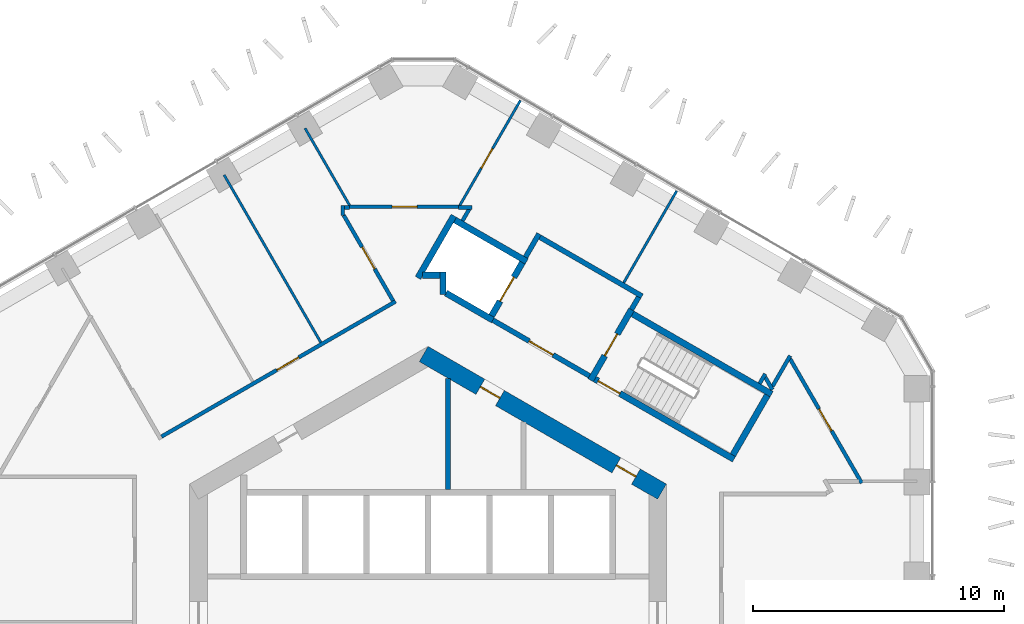
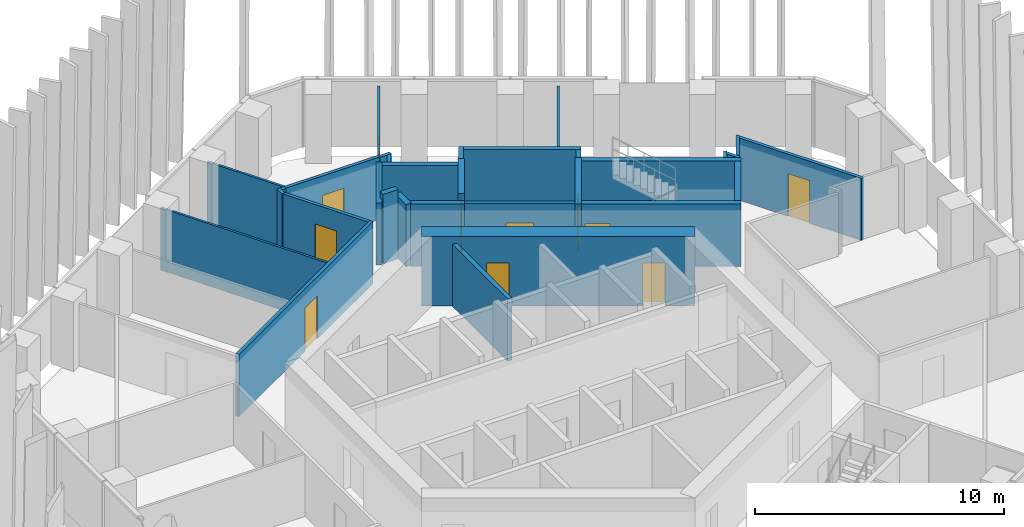
# One storey, part 14 of 19: 31 walls, 11 doors, 11 openings.
"""IFC4 building model written with IfcOpenShell, lengths in metres."""

from ifc_helpers import new_model, si_unit, direction, frame, frame_2d, origin, place, context, subcontext, project, spatial, rectangle, extrude, material, layer, layer_set, type_object, element, fill, save


model = new_model("IFC4")

# Units and contexts
model_context = context("Model", 3, precision=1e-05, world=origin(), true_north=direction((0.0, 1.0)))
body_context = subcontext(model_context, "Body", "Model", "MODEL_VIEW")
ifc_project = project(units=[si_unit("LENGTHUNIT", "METRE"), si_unit("AREAUNIT", "SQUARE_METRE"), si_unit("VOLUMEUNIT", "CUBIC_METRE"), si_unit("PLANEANGLEUNIT", "RADIAN"), si_unit("MASSUNIT", "GRAM", prefix="KILO")], contexts=[model_context])

# Site, building, storey
site_placement = place(None, origin())
site = spatial("IfcSite", under=ifc_project, at=site_placement, CompositionType="ELEMENT")
building_placement = place(site_placement, origin())
building = spatial("IfcBuilding", under=site, at=building_placement, Name="Ayvan Gate Tower", CompositionType="ELEMENT")
storey_placement = place(building_placement, frame((0.0, 0.0, 93.300048828125)))
storey = spatial("IfcBuildingStorey", under=building, at=storey_placement, Name="L24", CompositionType="ELEMENT", Elevation=93.300048828125)

# Wall, openings, doors
ifc_material_1 = material(Name="Concrete C70/85", Category="concrete")
ifc_layer_1 = layer(ifc_material_1, 0.699951171875)
ifc_layer_set_1 = layer_set([ifc_layer_1], Name="Concrete C70/85")
wall_type_1 = type_object("IfcWallType", Name="Core wall 700 C70/85", PredefinedType="SHEAR", material=ifc_layer_set_1)
wall_1_placement = place(storey_placement, frame((9.324951171875, 5.181640625, 0.0), z_axis=(0.0, 0.0, 1.0), x_axis=(-0.866023993627, 0.500002442456, 0.0)))
wall_1 = element("IfcWall", 1, at=wall_1_placement, inside=storey, type_object=wall_type_1, Name="CORE-L24-1", PredefinedType="SHEAR", context=body_context, shape_type="SweptSolid", body=[
    extrude(rectangle(XDim=10.9697265625, YDim=0.699951171875, at=frame_2d((5.48486328125, 0.0))), origin(), (0.0, 0.0, 1.0), 3.39990234375),
])
opening_1_placement = place(wall_1_placement, frame((7.460205078125, 0.0, 0.0)))
opening_1 = element("IfcOpeningElement", 2, at=opening_1_placement, cuts=wall_1, Name="Opening L24-D33", PredefinedType="OPENING", context=body_context, shape_type="SweptSolid", body=[
    extrude(rectangle(XDim=0.89990234375, YDim=2.10009765625, at=frame_2d((0.449951171875, 1.050048828125))), frame((0.0, 0.35986328125, 0.0), z_axis=(0.0, -1.0, 0.0), x_axis=(1.0, 0.0, 0.0)), (0.0, 0.0, 1.0), 0.719970703125),
])
opening_2_placement = place(wall_1_placement, frame((1.20068359375, 0.0, 0.0)))
opening_2 = element("IfcOpeningElement", 3, at=opening_2_placement, cuts=wall_1, Name="Opening L24-D34", PredefinedType="OPENING", context=body_context, shape_type="SweptSolid", body=[
    extrude(rectangle(XDim=0.89990234375, YDim=2.10009765625, at=frame_2d((0.449951171875, 1.050048828125))), frame((0.0, 0.35986328125, 0.0), z_axis=(0.0, -1.0, 0.0), x_axis=(1.0, 0.0, 0.0)), (0.0, 0.0, 1.0), 0.719970703125),
])
ifc_material_2 = material(Name="Timber door leaf", Category="wood")
door_type_1 = type_object("IfcDoorType", Name="DT-900", OperationType="NOTDEFINED", PredefinedType="DOOR", material=ifc_material_2)
door_1_placement = place(opening_1_placement, origin())
door_1 = element("IfcDoor", 4, at=door_1_placement, inside=storey, type_object=door_type_1, Name="CD-L24-33", OperationType="SINGLE_SWING_LEFT", OverallHeight=2.10009765625, OverallWidth=0.89990234375, PredefinedType="DOOR", context=body_context, shape_type="SweptSolid", body=[
    extrude(rectangle(XDim=0.89990234375, YDim=2.10009765625, at=frame_2d((0.449951171875, 1.050048828125))), frame((0.0, 0.02490234375, 0.0), z_axis=(0.0, -1.0, 0.0), x_axis=(1.0, 0.0, 0.0)), (0.0, 0.0, 1.0), 0.050048828125),
])
fill(opening_1, door_1)
door_2_placement = place(opening_2_placement, origin())
door_2 = element("IfcDoor", 5, at=door_2_placement, inside=storey, type_object=door_type_1, Name="CD-L24-34", OperationType="SINGLE_SWING_RIGHT", OverallHeight=2.10009765625, OverallWidth=0.89990234375, PredefinedType="DOOR", context=body_context, shape_type="SweptSolid", body=[
    extrude(rectangle(XDim=0.89990234375, YDim=2.10009765625, at=frame_2d((0.449951171875, 1.050048828125))), frame((0.0, 0.02490234375, 0.0), z_axis=(0.0, -1.0, 0.0), x_axis=(1.0, 0.0, 0.0)), (0.0, 0.0, 1.0), 0.050048828125),
])
fill(opening_2, door_2)

# Wall, opening, door
ifc_material_3 = material(Name="Plasterboard on steel stud", Category="steel")
ifc_layer_2 = layer(ifc_material_3, 0.14990234375)
ifc_layer_set_2 = layer_set([ifc_layer_2], Name="Plasterboard on steel stud")
wall_type_2 = type_object("IfcWallType", Name="WT-CORR-150", PredefinedType="PARTITIONING", material=ifc_layer_set_2)
wall_2_placement = place(storey_placement, frame((-10.623779296875, 7.376220703125, 0.0), z_axis=(0.0, 0.0, 1.0), x_axis=(0.86602446816, 0.500001620546, 0.0)))
wall_2 = element("IfcWall", 6, at=wall_2_placement, inside=storey, type_object=wall_type_2, Name="IW-L24-013", PredefinedType="PARTITIONING", context=body_context, shape_type="SweptSolid", body=[
    extrude(rectangle(XDim=10.77490234375, YDim=0.14990234375, at=frame_2d((5.387451171875, 0.0))), origin(), (0.0, 0.0, 1.0), 3.050048828125),
])
opening_3_placement = place(wall_2_placement, frame((5.310302734375, 0.0, 0.0)))
opening_3 = element("IfcOpeningElement", 7, at=opening_3_placement, cuts=wall_2, Name="Opening L24-D30", PredefinedType="OPENING", context=body_context, shape_type="SweptSolid", body=[
    extrude(rectangle(XDim=1.0, YDim=2.10009765625, at=frame_2d((0.5, 1.050048828125))), frame((0.0, 0.0849609375, 0.0), z_axis=(0.0, -1.0, 0.0), x_axis=(1.0, 0.0, 0.0)), (0.0, 0.0, 1.0), 0.169921875),
])
door_type_2 = type_object("IfcDoorType", Name="DT-1000", OperationType="NOTDEFINED", PredefinedType="DOOR", material=ifc_material_2)
door_3_placement = place(opening_3_placement, origin())
door_3 = element("IfcDoor", 8, at=door_3_placement, inside=storey, type_object=door_type_2, Name="ID-L24-030", OperationType="SINGLE_SWING_RIGHT", OverallHeight=2.10009765625, OverallWidth=1.0, PredefinedType="DOOR", context=body_context, shape_type="SweptSolid", body=[
    extrude(rectangle(XDim=1.0, YDim=2.10009765625, at=frame_2d((0.5, 1.050048828125))), frame((0.0, 0.02490234375, 0.0), z_axis=(0.0, -1.0, 0.0), x_axis=(1.0, 0.0, 0.0)), (0.0, 0.0, 1.0), 0.050048828125),
])
fill(opening_3, door_3)

# Walls
wall_3_placement = place(storey_placement, frame((-3.39990234375, 16.188720703125, 0.0), z_axis=(0.0, 0.0, 1.0), x_axis=(0.0, 1.0, 0.0)))
element("IfcWall", 9, at=wall_3_placement, inside=storey, type_object=wall_type_2, Name="IW-L24-039", PredefinedType="PARTITIONING", context=body_context, shape_type="SweptSolid", body=[
    extrude(rectangle(XDim=0.397216796875, YDim=0.14990234375, at=frame_2d((0.19873046875, 0.0))), origin(), (0.0, 0.0, 1.0), 3.050048828125),
])
wall_4_placement = place(storey_placement, frame((-3.324951171875, 16.510986328125, 0.0), z_axis=(0.0, 0.0, 1.0), x_axis=(1.0, 0.0, 0.0)))
element("IfcWall", 10, at=wall_4_placement, inside=storey, type_object=wall_type_2, Name="IW-L24-040", PredefinedType="PARTITIONING", context=body_context, shape_type="SweptSolid", body=[
    extrude(rectangle(XDim=0.194091796875, YDim=0.14990234375, at=frame_2d((0.09716796875, 0.0))), origin(), (0.0, 0.0, 1.0), 3.050048828125),
])

# Wall, opening, door
wall_5_placement = place(storey_placement, frame((-3.1435546875, 16.533203125, 0.0), z_axis=(0.0, 0.0, 1.0), x_axis=(1.0, 0.0, 0.0)))
wall_5 = element("IfcWall", 11, at=wall_5_placement, inside=storey, type_object=wall_type_2, Name="IW-L24-042", PredefinedType="PARTITIONING", context=body_context, shape_type="SweptSolid", body=[
    extrude(rectangle(XDim=4.425048828125, YDim=0.14990234375, at=frame_2d((2.21240234375, 0.0))), origin(), (0.0, 0.0, 1.0), 3.050048828125),
])
opening_4_placement = place(wall_5_placement, frame((1.712646484375, 0.0, 0.0)))
opening_4 = element("IfcOpeningElement", 12, at=opening_4_placement, cuts=wall_5, Name="Opening L24-D20", PredefinedType="OPENING", context=body_context, shape_type="SweptSolid", body=[
    extrude(rectangle(XDim=1.0, YDim=2.10009765625, at=frame_2d((0.5, 1.050048828125))), frame((0.0, 0.0849609375, 0.0), z_axis=(0.0, -1.0, 0.0), x_axis=(1.0, 0.0, 0.0)), (0.0, 0.0, 1.0), 0.169921875),
])
door_4_placement = place(opening_4_placement, origin())
door_4 = element("IfcDoor", 13, at=door_4_placement, inside=storey, type_object=door_type_2, Name="ID-L24-020", OperationType="SINGLE_SWING_RIGHT", OverallHeight=2.10009765625, OverallWidth=1.0, PredefinedType="DOOR", context=body_context, shape_type="SweptSolid", body=[
    extrude(rectangle(XDim=1.0, YDim=2.10009765625, at=frame_2d((0.5, 1.050048828125))), frame((0.0, 0.02490234375, 0.0), z_axis=(0.0, -1.0, 0.0), x_axis=(1.0, 0.0, 0.0)), (0.0, 0.0, 1.0), 0.050048828125),
])
fill(opening_4, door_4)

wall_6_placement = place(storey_placement, frame((-1.39501953125, 12.791259765625, 0.0), z_axis=(0.0, 0.0, 1.0), x_axis=(-0.500016051241, 0.866016136398, 0.0)))
wall_6 = element("IfcWall", 14, at=wall_6_placement, inside=storey, type_object=wall_type_2, Name="IW-L24-047", PredefinedType="PARTITIONING", context=body_context, shape_type="SweptSolid", body=[
    extrude(rectangle(XDim=3.934814453125, YDim=0.14990234375, at=frame_2d((1.96728515625, 0.0))), origin(), (0.0, 0.0, 1.0), 3.050048828125),
])
opening_5_placement = place(wall_6_placement, frame((1.46728515625, 0.0, 0.0)))
opening_5 = element("IfcOpeningElement", 15, at=opening_5_placement, cuts=wall_6, Name="Opening L24-D29", PredefinedType="OPENING", context=body_context, shape_type="SweptSolid", body=[
    extrude(rectangle(XDim=1.0, YDim=2.10009765625, at=frame_2d((0.5, 1.050048828125))), frame((0.0, 0.0849609375, 0.0), z_axis=(0.0, -1.0, 0.0), x_axis=(1.0, 0.0, 0.0)), (0.0, 0.0, 1.0), 0.169921875),
])
door_5_placement = place(opening_5_placement, origin())
door_5 = element("IfcDoor", 16, at=door_5_placement, inside=storey, type_object=door_type_2, Name="ID-L24-029", OperationType="SINGLE_SWING_LEFT", OverallHeight=2.10009765625, OverallWidth=1.0, PredefinedType="DOOR", context=body_context, shape_type="SweptSolid", body=[
    extrude(rectangle(XDim=1.0, YDim=2.10009765625, at=frame_2d((0.5, 1.050048828125))), frame((0.0, 0.02490234375, 0.0), z_axis=(0.0, -1.0, 0.0), x_axis=(1.0, 0.0, 0.0)), (0.0, 0.0, 1.0), 0.050048828125),
])
fill(opening_5, door_5)

# Walls
wall_7_placement = place(storey_placement, frame((1.21875, 16.510986328125, 0.0), z_axis=(0.0, 0.0, 1.0), x_axis=(1.0, 0.0, 0.0)))
element("IfcWall", 17, at=wall_7_placement, inside=storey, type_object=wall_type_2, Name="IW-L24-059", PredefinedType="PARTITIONING", context=body_context, shape_type="SweptSolid", body=[
    extrude(rectangle(XDim=0.536865234375, YDim=0.14990234375, at=frame_2d((0.2685546875, 0.0))), origin(), (0.0, 0.0, 1.0), 3.050048828125),
])
wall_8_placement = place(storey_placement, frame((1.643310546875, 16.446044921875, 0.0), z_axis=(0.0, 0.0, 1.0), x_axis=(-0.500179556555, -0.865921711937, 0.0)))
element("IfcWall", 18, at=wall_8_placement, inside=storey, type_object=wall_type_2, Name="IW-L24-061", PredefinedType="PARTITIONING", context=body_context, shape_type="SweptSolid", body=[
    extrude(rectangle(XDim=0.539306640625, YDim=0.14990234375, at=frame_2d((0.26953125, 0.0))), origin(), (0.0, 0.0, 1.0), 3.050048828125),
])
wall_9_placement = place(storey_placement, frame((13.21484375, 9.48876953125, 0.0), z_axis=(0.0, 0.0, 1.0), x_axis=(0.500132045864, 0.865949153646, 0.0)))
element("IfcWall", 19, at=wall_9_placement, inside=storey, type_object=wall_type_2, Name="IW-L24-096", PredefinedType="PARTITIONING", context=body_context, shape_type="SweptSolid", body=[
    extrude(rectangle(XDim=0.447265625, YDim=0.14990234375, at=frame_2d((0.2236328125, 0.0))), origin(), (0.0, 0.0, 1.0), 3.050048828125),
])
wall_10_placement = place(storey_placement, frame((13.4384765625, 9.74609375, 0.0), z_axis=(0.0, 0.0, 1.0), x_axis=(0.499868889286, -0.866101087359, 0.0)))
element("IfcWall", 20, at=wall_10_placement, inside=storey, type_object=wall_type_2, Name="IW-L24-098", PredefinedType="PARTITIONING", context=body_context, shape_type="SweptSolid", body=[
    extrude(rectangle(XDim=0.577392578125, YDim=0.14990234375, at=frame_2d((0.28857421875, 0.0))), origin(), (0.0, 0.0, 1.0), 3.050048828125),
])
wall_11_placement = place(storey_placement, frame((13.72705078125, 9.3759765625, 0.0), z_axis=(0.0, 0.0, 1.0), x_axis=(0.499972045304, 0.866041542834, 0.0)))
element("IfcWall", 21, at=wall_11_placement, inside=storey, type_object=wall_type_2, Name="IW-L24-100", PredefinedType="PARTITIONING", context=body_context, shape_type="SweptSolid", body=[
    extrude(rectangle(XDim=1.4111328125, YDim=0.14990234375, at=frame_2d((0.70556640625, 0.0))), origin(), (0.0, 0.0, 1.0), 3.050048828125),
])

# Wall, opening, door
wall_12_placement = place(storey_placement, frame((14.4326171875, 10.46826171875, 0.0), z_axis=(0.0, 0.0, 1.0), x_axis=(0.500001226279, -0.866024695791, 0.0)))
wall_12 = element("IfcWall", 22, at=wall_12_placement, inside=storey, type_object=wall_type_2, Name="IW-L24-101", PredefinedType="PARTITIONING", context=body_context, shape_type="SweptSolid", body=[
    extrude(rectangle(XDim=5.7109375, YDim=0.14990234375, at=frame_2d((2.85546875, 0.0))), origin(), (0.0, 0.0, 1.0), 3.050048828125),
])
opening_6_placement = place(wall_12_placement, frame((2.300537109375, 0.0, 0.0)))
opening_6 = element("IfcOpeningElement", 23, at=opening_6_placement, cuts=wall_12, Name="Opening L24-D19", PredefinedType="OPENING", context=body_context, shape_type="SweptSolid", body=[
    extrude(rectangle(XDim=1.0, YDim=2.10009765625, at=frame_2d((0.5, 1.050048828125))), frame((0.0, 0.0849609375, 0.0), z_axis=(0.0, -1.0, 0.0), x_axis=(1.0, 0.0, 0.0)), (0.0, 0.0, 1.0), 0.169921875),
])
door_6_placement = place(opening_6_placement, origin())
door_6 = element("IfcDoor", 24, at=door_6_placement, inside=storey, type_object=door_type_2, Name="ID-L24-019", OperationType="SINGLE_SWING_LEFT", OverallHeight=2.10009765625, OverallWidth=1.0, PredefinedType="DOOR", context=body_context, shape_type="SweptSolid", body=[
    extrude(rectangle(XDim=1.0, YDim=2.10009765625, at=frame_2d((0.5, 1.050048828125))), frame((0.0, 0.02490234375, 0.0), z_axis=(0.0, -1.0, 0.0), x_axis=(1.0, 0.0, 0.0)), (0.0, 0.0, 1.0), 0.050048828125),
])
fill(opening_6, door_6)

# Walls
ifc_layer_3 = layer(ifc_material_3, 0.10009765625)
ifc_layer_set_3 = layer_set([ifc_layer_3], Name="Plasterboard on steel stud")
wall_type_3 = type_object("IfcWallType", Name="WT-PART-100", PredefinedType="PARTITIONING", material=ifc_layer_set_3)
wall_13_placement = place(storey_placement, frame((-4.274658203125, 11.128662109375, 0.0), z_axis=(0.0, 0.0, 1.0), x_axis=(-0.499997453958, 0.866026873738, 0.0)))
element("IfcWall", 25, at=wall_13_placement, inside=storey, type_object=wall_type_3, Name="IW-L24-036", PredefinedType="PARTITIONING", context=body_context, shape_type="SweptSolid", body=[
    extrude(rectangle(XDim=7.71044921875, YDim=0.10009765625, at=frame_2d((3.855224609375, 0.0))), origin(), (0.0, 0.0, 1.0), 3.050048828125),
])
wall_14_placement = place(storey_placement, frame((-3.131103515625, 16.59814453125, 0.0), z_axis=(0.0, 0.0, 1.0), x_axis=(-0.499982733475, 0.866035372388, 0.0)))
element("IfcWall", 26, at=wall_14_placement, inside=storey, type_object=wall_type_3, Name="IW-L24-041", PredefinedType="PARTITIONING", context=body_context, shape_type="SweptSolid", body=[
    extrude(rectangle(XDim=3.545654296875, YDim=0.10009765625, at=frame_2d((1.77294921875, 0.0))), origin(), (0.0, 0.0, 1.0), 3.050048828125),
])

# Wall, opening, door
wall_15_placement = place(storey_placement, frame((3.678955078125, 20.77197265625, 0.0), z_axis=(0.0, 0.0, 1.0), x_axis=(-0.500023547092, -0.866011808438, 0.0)))
wall_15 = element("IfcWall", 27, at=wall_15_placement, inside=storey, type_object=wall_type_3, Name="IW-L24-069", PredefinedType="PARTITIONING", context=body_context, shape_type="SweptSolid", body=[
    extrude(rectangle(XDim=4.819580078125, YDim=0.10009765625, at=frame_2d((2.40966796875, 0.0))), origin(), (0.0, 0.0, 1.0), 3.050048828125),
])
opening_7_placement = place(wall_15_placement, frame((2.22021484375, 0.0, 0.0)))
opening_7 = element("IfcOpeningElement", 28, at=opening_7_placement, cuts=wall_15, Name="Opening L24-D21", PredefinedType="OPENING", context=body_context, shape_type="SweptSolid", body=[
    extrude(rectangle(XDim=0.89990234375, YDim=2.10009765625, at=frame_2d((0.449951171875, 1.050048828125))), frame((0.0, 0.06005859375, 0.0), z_axis=(0.0, -1.0, 0.0), x_axis=(1.0, 0.0, 0.0)), (0.0, 0.0, 1.0), 0.1201171875),
])
door_7_placement = place(opening_7_placement, origin())
door_7 = element("IfcDoor", 29, at=door_7_placement, inside=storey, type_object=door_type_1, Name="ID-L24-021", OperationType="SINGLE_SWING_LEFT", OverallHeight=2.10009765625, OverallWidth=0.89990234375, PredefinedType="DOOR", context=body_context, shape_type="SweptSolid", body=[
    extrude(rectangle(XDim=0.89990234375, YDim=2.10009765625, at=frame_2d((0.449951171875, 1.050048828125))), frame((0.0, 0.02490234375, 0.0), z_axis=(0.0, -1.0, 0.0), x_axis=(1.0, 0.0, 0.0)), (0.0, 0.0, 1.0), 0.050048828125),
])
fill(opening_7, door_7)

# Walls
wall_16_placement = place(storey_placement, frame((7.800048828125, 13.510009765625, 0.0), z_axis=(0.0, 0.0, 1.0), x_axis=(0.499988999718, 0.866031754707, 0.0)))
element("IfcWall", 30, at=wall_16_placement, inside=storey, type_object=wall_type_3, Name="IW-L24-085", PredefinedType="PARTITIONING", context=body_context, shape_type="SweptSolid", body=[
    extrude(rectangle(XDim=4.228515625, YDim=0.10009765625, at=frame_2d((2.1142578125, 0.0))), origin(), (0.0, 0.0, 1.0), 3.050048828125),
])
ifc_layer_4 = layer(ifc_material_3, 0.199951171875)
ifc_layer_set_4 = layer_set([ifc_layer_4], Name="Plasterboard on steel stud")
wall_type_4 = type_object("IfcWallType", Name="WT-RATED-200", PredefinedType="PARTITIONING", material=ifc_layer_set_4)
wall_17_placement = place(storey_placement, frame((0.800048828125, 9.699462890625, 0.0), z_axis=(0.0, 0.0, 1.0), x_axis=(0.0, -1.0, 0.0)))
element("IfcWall", 31, at=wall_17_placement, inside=storey, type_object=wall_type_4, Name="IW-L24-057", PredefinedType="PARTITIONING", context=body_context, shape_type="SweptSolid", body=[
    extrude(rectangle(XDim=4.424560546875, YDim=0.199951171875, at=frame_2d((2.21240234375, 0.0))), origin(), (0.0, 0.0, 1.0), 3.050048828125),
])
wall_18_placement = place(storey_placement, frame((3.885009765625, 14.52880859375, 0.0), z_axis=(0.0, 0.0, 1.0), x_axis=(0.499997628298, 0.866026773083, 0.0)))
element("IfcWall", 32, at=wall_18_placement, inside=storey, type_object=wall_type_4, Name="IW-L24-072", PredefinedType="PARTITIONING", context=body_context, shape_type="SweptSolid", body=[
    extrude(rectangle(XDim=1.0751953125, YDim=0.199951171875, at=frame_2d((0.53759765625, 0.0))), origin(), (0.0, 0.0, 1.0), 3.050048828125),
])
wall_19_placement = place(storey_placement, frame((4.458984375, 15.323486328125, 0.0), z_axis=(0.0, 0.0, 1.0), x_axis=(0.866016039709, -0.500016218704, 0.0)))
element("IfcWall", 33, at=wall_19_placement, inside=storey, type_object=wall_type_4, Name="IW-L24-073", PredefinedType="PARTITIONING", context=body_context, shape_type="SweptSolid", body=[
    extrude(rectangle(XDim=4.699951171875, YDim=0.199951171875, at=frame_2d((2.35009765625, 0.0))), origin(), (0.0, 0.0, 1.0), 3.050048828125),
])

# Wall, opening, door
wall_20_placement = place(storey_placement, frame((6.4345703125, 9.794921875, 0.0), z_axis=(0.0, 0.0, 1.0), x_axis=(-0.866012907634, 0.500021643343, 0.0)))
wall_20 = element("IfcWall", 34, at=wall_20_placement, inside=storey, type_object=wall_type_4, Name="IW-L24-076", PredefinedType="PARTITIONING", context=body_context, shape_type="SweptSolid", body=[
    extrude(rectangle(XDim=4.449951171875, YDim=0.199951171875, at=frame_2d((2.22509765625, 0.0))), origin(), (0.0, 0.0, 1.0), 3.050048828125),
])
opening_8_placement = place(wall_20_placement, frame((1.675048828125, 0.0, 0.0)))
opening_8 = element("IfcOpeningElement", 35, at=opening_8_placement, cuts=wall_20, Name="Opening L24-D08", PredefinedType="OPENING", context=body_context, shape_type="SweptSolid", body=[
    extrude(rectangle(XDim=1.10009765625, YDim=2.10009765625, at=frame_2d((0.550048828125, 1.050048828125))), frame((0.0, 0.10986328125, 0.0), z_axis=(0.0, -1.0, 0.0), x_axis=(1.0, 0.0, 0.0)), (0.0, 0.0, 1.0), 0.219970703125),
])
door_type_3 = type_object("IfcDoorType", Name="DT-1100", OperationType="NOTDEFINED", PredefinedType="DOOR", material=ifc_material_2)
door_8_placement = place(opening_8_placement, origin())
door_8 = element("IfcDoor", 36, at=door_8_placement, inside=storey, type_object=door_type_3, Name="ID-L24-008", OperationType="SINGLE_SWING_RIGHT", OverallHeight=2.10009765625, OverallWidth=1.10009765625, PredefinedType="DOOR", context=body_context, shape_type="SweptSolid", body=[
    extrude(rectangle(XDim=1.10009765625, YDim=2.10009765625, at=frame_2d((0.550048828125, 1.050048828125))), frame((0.0, 0.02490234375, 0.0), z_axis=(0.0, -1.0, 0.0), x_axis=(1.0, 0.0, 0.0)), (0.0, 0.0, 1.0), 0.050048828125),
])
fill(opening_8, door_8)

# Walls
wall_21_placement = place(storey_placement, frame((8.392822265625, 12.936767578125, 0.0), z_axis=(0.0, 0.0, 1.0), x_axis=(-0.500065409566, -0.86598763626, 0.0)))
element("IfcWall", 37, at=wall_21_placement, inside=storey, type_object=wall_type_4, Name="IW-L24-087", PredefinedType="PARTITIONING", context=body_context, shape_type="SweptSolid", body=[
    extrude(rectangle(XDim=0.5751953125, YDim=0.199951171875, at=frame_2d((0.28759765625, 0.0))), origin(), (0.0, 0.0, 1.0), 3.050048828125),
])
ifc_material_4 = material(Name="Concrete C50/60", Category="concrete")
ifc_layer_5 = layer(ifc_material_4, 0.25)
ifc_layer_set_5 = layer_set([ifc_layer_5], Name="Concrete C50/60")
wall_type_5 = type_object("IfcWallType", Name="WT-RC-250", PredefinedType="SHEAR", material=ifc_layer_set_5)
wall_22_placement = place(storey_placement, frame((-0.403076171875, 13.70166015625, 0.0), z_axis=(0.0, 0.0, 1.0), x_axis=(0.499976111731, 0.866039195244, 0.0)))
element("IfcWall", 38, at=wall_22_placement, inside=storey, type_object=wall_type_5, Name="IW-L24-052", PredefinedType="SHEAR", context=body_context, shape_type="SweptSolid", body=[
    extrude(rectangle(XDim=2.860595703125, YDim=0.25, at=frame_2d((1.43017578125, 0.0))), origin(), (0.0, 0.0, 1.0), 3.050048828125),
])
wall_23_placement = place(storey_placement, frame((0.60009765625, 13.03857421875, 0.0), z_axis=(0.0, 0.0, 1.0), x_axis=(0.0, 1.0, 0.0)))
element("IfcWall", 39, at=wall_23_placement, inside=storey, type_object=wall_type_5, Name="IW-L24-055", PredefinedType="SHEAR", context=body_context, shape_type="SweptSolid", body=[
    extrude(rectangle(XDim=0.896484375, YDim=0.25, at=frame_2d((0.4482421875, 0.0))), origin(), (0.0, 0.0, 1.0), 3.050048828125),
])
wall_24_placement = place(storey_placement, frame((0.47509765625, 13.81005859375, 0.0), z_axis=(0.0, 0.0, 1.0), x_axis=(-1.0, 0.0, 0.0)))
element("IfcWall", 40, at=wall_24_placement, inside=storey, type_object=wall_type_5, Name="IW-L24-056", PredefinedType="SHEAR", context=body_context, shape_type="SweptSolid", body=[
    extrude(rectangle(XDim=0.690673828125, YDim=0.25, at=frame_2d((0.34521484375, 0.0))), origin(), (0.0, 0.0, 1.0), 3.39990234375),
])
wall_25_placement = place(storey_placement, frame((1.072998046875, 16.00830078125, 0.0), z_axis=(0.0, 0.0, 1.0), x_axis=(0.866040211805, -0.499974350878, 0.0)))
element("IfcWall", 41, at=wall_25_placement, inside=storey, type_object=wall_type_5, Name="IW-L24-058", PredefinedType="SHEAR", context=body_context, shape_type="SweptSolid", body=[
    extrude(rectangle(XDim=3.300048828125, YDim=0.25, at=frame_2d((1.64990234375, 0.0))), origin(), (0.0, 0.0, 1.0), 3.050048828125),
])
wall_26_placement = place(storey_placement, frame((2.580810546875, 12.02001953125, 0.0), z_axis=(0.0, 0.0, 1.0), x_axis=(-0.86603892542, 0.499976579108, 0.0)))
element("IfcWall", 42, at=wall_26_placement, inside=storey, type_object=wall_type_5, Name="IW-L24-065", PredefinedType="SHEAR", context=body_context, shape_type="SweptSolid", body=[
    extrude(rectangle(XDim=2.162109375, YDim=0.25, at=frame_2d((1.0810546875, 0.0))), origin(), (0.0, 0.0, 1.0), 3.050048828125),
])

# Wall, opening, door
wall_27_placement = place(storey_placement, frame((2.534912109375, 12.19091796875, 0.0), z_axis=(0.0, 0.0, 1.0), x_axis=(0.500061746146, 0.865989751695, 0.0)))
wall_27 = element("IfcWall", 43, at=wall_27_placement, inside=storey, type_object=wall_type_5, Name="IW-L24-066", PredefinedType="SHEAR", context=body_context, shape_type="SweptSolid", body=[
    extrude(rectangle(XDim=2.449951171875, YDim=0.25, at=frame_2d((1.22509765625, 0.0))), origin(), (0.0, 0.0, 1.0), 3.39990234375),
])
opening_9_placement = place(wall_27_placement, frame((0.675048828125, 0.0, 0.0)))
opening_9 = element("IfcOpeningElement", 44, at=opening_9_placement, cuts=wall_27, Name="Opening L24-LD-FF1", PredefinedType="OPENING", context=body_context, shape_type="SweptSolid", body=[
    extrude(rectangle(XDim=1.10009765625, YDim=2.10009765625, at=frame_2d((0.550048828125, 1.050048828125))), frame((0.0, 0.135009765625, 0.0), z_axis=(0.0, -1.0, 0.0), x_axis=(1.0, 0.0, 0.0)), (0.0, 0.0, 1.0), 0.27001953125),
])
ifc_material_5 = material(Name="Stainless steel landing door", Category="steel")
door_type_4 = type_object("IfcDoorType", Name="DT-LANDING-1100", OperationType="SLIDING_TO_LEFT", PredefinedType="DOOR", material=ifc_material_5)
door_9_placement = place(opening_9_placement, origin())
door_9 = element("IfcDoor", 45, at=door_9_placement, inside=storey, type_object=door_type_4, Name="ID-L24-009", OperationType="SLIDING_TO_LEFT", OverallHeight=2.10009765625, OverallWidth=1.10009765625, PredefinedType="DOOR", context=body_context, shape_type="SweptSolid", body=[
    extrude(rectangle(XDim=1.10009765625, YDim=2.10009765625, at=frame_2d((0.550048828125, 1.050048828125))), frame((0.0, 0.02490234375, 0.0), z_axis=(0.0, -1.0, 0.0), x_axis=(1.0, 0.0, 0.0)), (0.0, 0.0, 1.0), 0.050048828125),
])
fill(opening_9, door_9)

wall_28_placement = place(storey_placement, frame((6.480224609375, 9.624267578125, 0.0), z_axis=(0.0, 0.0, 1.0), x_axis=(0.500017246033, 0.866015446554, 0.0)))
wall_28 = element("IfcWall", 46, at=wall_28_placement, inside=storey, type_object=wall_type_5, Name="IW-L24-077", PredefinedType="SHEAR", context=body_context, shape_type="SweptSolid", body=[
    extrude(rectangle(XDim=3.25, YDim=0.25, at=frame_2d((1.625, 0.0))), origin(), (0.0, 0.0, 1.0), 3.050048828125),
])
opening_10_placement = place(wall_28_placement, frame((1.125, 0.0, 0.0)))
opening_10 = element("IfcOpeningElement", 47, at=opening_10_placement, cuts=wall_28, Name="Opening L24-D07", PredefinedType="OPENING", context=body_context, shape_type="SweptSolid", body=[
    extrude(rectangle(XDim=1.0, YDim=2.10009765625, at=frame_2d((0.5, 1.050048828125))), frame((0.0, 0.135009765625, 0.0), z_axis=(0.0, -1.0, 0.0), x_axis=(1.0, 0.0, 0.0)), (0.0, 0.0, 1.0), 0.27001953125),
])
door_10_placement = place(opening_10_placement, origin())
door_10 = element("IfcDoor", 48, at=door_10_placement, inside=storey, type_object=door_type_2, Name="ID-L24-007", OperationType="SINGLE_SWING_LEFT", OverallHeight=2.10009765625, OverallWidth=1.0, PredefinedType="DOOR", context=body_context, shape_type="SweptSolid", body=[
    extrude(rectangle(XDim=1.0, YDim=2.10009765625, at=frame_2d((0.5, 1.050048828125))), frame((0.0, 0.02490234375, 0.0), z_axis=(0.0, -1.0, 0.0), x_axis=(1.0, 0.0, 0.0)), (0.0, 0.0, 1.0), 0.050048828125),
])
fill(opening_10, door_10)

# Wall
wall_29_placement = place(storey_placement, frame((8.151123046875, 12.26806640625, 0.0), z_axis=(0.0, 0.0, 1.0), x_axis=(0.866025499775, -0.499999833739, 0.0)))
element("IfcWall", 49, at=wall_29_placement, inside=storey, type_object=wall_type_5, Name="IW-L24-086", PredefinedType="SHEAR", context=body_context, shape_type="SweptSolid", body=[
    extrude(rectangle(XDim=6.39990234375, YDim=0.25, at=frame_2d((3.199951171875, 0.0))), origin(), (0.0, 0.0, 1.0), 3.050048828125),
])

# Wall, opening, door
wall_30_placement = place(storey_placement, frame((12.193603515625, 6.469970703125, 0.0), z_axis=(0.0, 0.0, 1.0), x_axis=(-0.866025499775, 0.499999833739, 0.0)))
wall_30 = element("IfcWall", 50, at=wall_30_placement, inside=storey, type_object=wall_type_5, Name="IW-L24-094", PredefinedType="SHEAR", context=body_context, shape_type="SweptSolid", body=[
    extrude(rectangle(XDim=6.39990234375, YDim=0.25, at=frame_2d((3.199951171875, 0.0))), origin(), (0.0, 0.0, 1.0), 3.050048828125),
])
opening_11_placement = place(wall_30_placement, frame((5.25, 0.0, 0.0)))
opening_11 = element("IfcOpeningElement", 51, at=opening_11_placement, cuts=wall_30, Name="Opening L24-D06", PredefinedType="OPENING", context=body_context, shape_type="SweptSolid", body=[
    extrude(rectangle(XDim=1.0, YDim=2.10009765625, at=frame_2d((0.5, 1.050048828125))), frame((0.0, 0.135009765625, 0.0), z_axis=(0.0, -1.0, 0.0), x_axis=(1.0, 0.0, 0.0)), (0.0, 0.0, 1.0), 0.27001953125),
])
door_11_placement = place(opening_11_placement, origin())
door_11 = element("IfcDoor", 52, at=door_11_placement, inside=storey, type_object=door_type_2, Name="ID-L24-006", OperationType="SINGLE_SWING_RIGHT", OverallHeight=2.10009765625, OverallWidth=1.0, PredefinedType="DOOR", context=body_context, shape_type="SweptSolid", body=[
    extrude(rectangle(XDim=1.0, YDim=2.10009765625, at=frame_2d((0.5, 1.050048828125))), frame((0.0, 0.02490234375, 0.0), z_axis=(0.0, -1.0, 0.0), x_axis=(1.0, 0.0, 0.0)), (0.0, 0.0, 1.0), 0.050048828125),
])
fill(opening_11, door_11)

# Wall
wall_31_placement = place(storey_placement, frame((13.52294921875, 9.022216796875, 0.0), z_axis=(0.0, 0.0, 1.0), x_axis=(-0.500034990121, -0.866005201286, 0.0)))
element("IfcWall", 53, at=wall_31_placement, inside=storey, type_object=wall_type_5, Name="IW-L24-099", PredefinedType="SHEAR", context=body_context, shape_type="SweptSolid", body=[
    extrude(rectangle(XDim=2.749755859375, YDim=0.25, at=frame_2d((1.375, 0.0))), origin(), (0.0, 0.0, 1.0), 3.050048828125),
])

save(model, "model.ifc")
